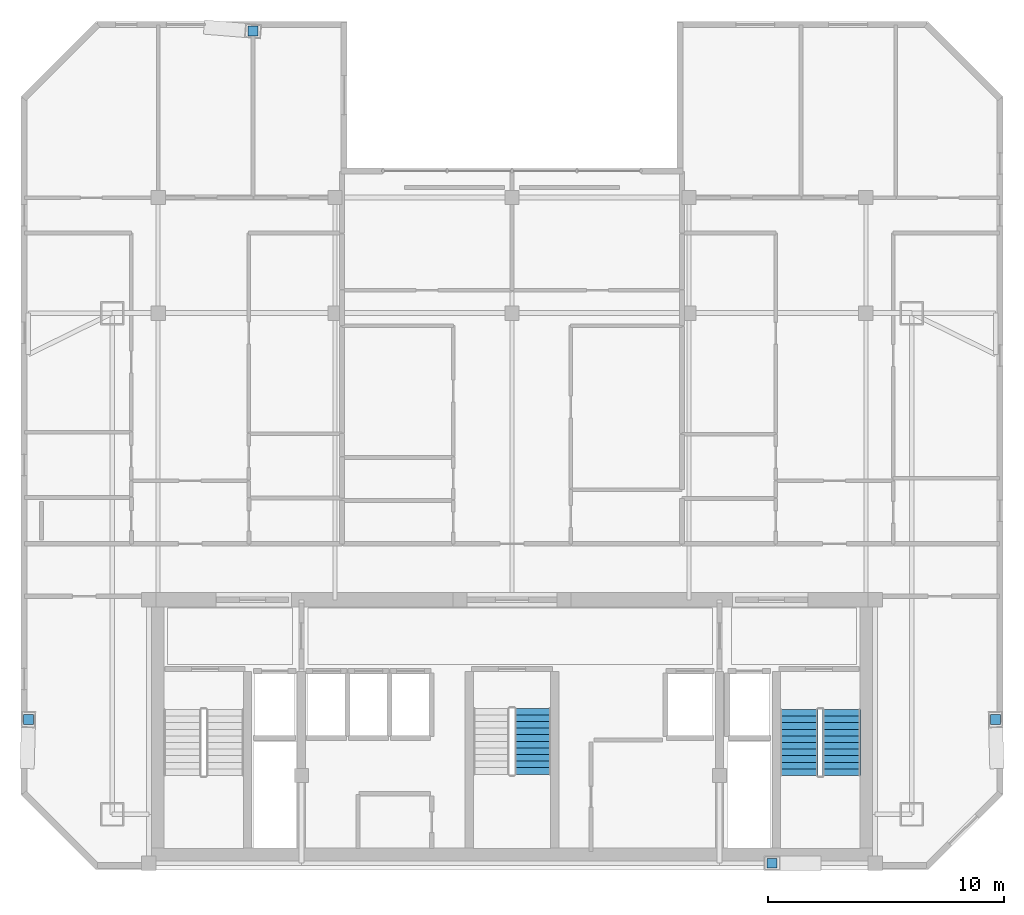
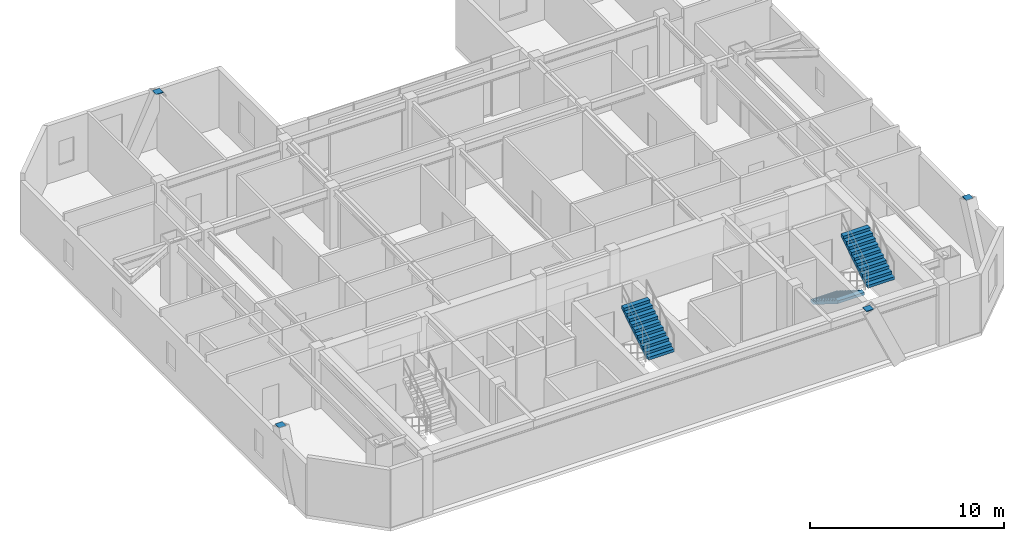
# One storey, part 10 of 11: 4 discrete accessories, 3 stair flights, 2 elements without a shape of their own.
"""IFC4 building model written with IfcOpenShell, lengths in metres."""

from ifc_helpers import new_model, si_unit, direction, frame, origin, origin_2d, place, context, subcontext, project, spatial, polyline, rectangle, outline, extrude, material, type_object, element, aggregate, save


model = new_model("IFC4")

# Units and contexts
model_context = context("Model", 3, precision=1e-05, world=origin(), true_north=direction((0.0, 1.0)))
body_context = subcontext(model_context, "Body", "Model", "MODEL_VIEW")
ifc_project = project(units=[si_unit("LENGTHUNIT", "METRE"), si_unit("AREAUNIT", "SQUARE_METRE"), si_unit("VOLUMEUNIT", "CUBIC_METRE"), si_unit("PLANEANGLEUNIT", "RADIAN"), si_unit("MASSUNIT", "GRAM", prefix="KILO")], contexts=[model_context])

# Site, building, storey
site_placement = place(None, origin())
site = spatial("IfcSite", under=ifc_project, at=site_placement, CompositionType="ELEMENT")
building_placement = place(site_placement, origin())
building = spatial("IfcBuilding", under=site, at=building_placement, Name="Ventersveld Concourse Tower", CompositionType="ELEMENT")
storey_placement = place(building_placement, frame((0.0, 0.0, 256.75)))
storey = spatial("IfcBuildingStorey", under=building, at=storey_placement, Name="L63", CompositionType="ELEMENT", Elevation=256.75)

# Stair, stair flight
ifc_material_1 = material(Name="Concrete C50/60", Category="concrete")
stair_type_1 = type_object("IfcStairType", Name="ST-DOG-155", PredefinedType="HALF_TURN_STAIR", material=ifc_material_1)
stair_1_placement = place(storey_placement, origin())
stair_1 = element("IfcStair", 1, at=stair_1_placement, inside=storey, type_object=stair_type_1, Name="L63 Protected Central Core Escape Stair ST-03", PredefinedType="HALF_TURN_STAIR")
stair_flight_type_1 = type_object("IfcStairFlightType", Name="STF-RC-155", PredefinedType="STRAIGHT", material=ifc_material_1)
stair_flight_1_placement = place(storey_placement, frame((29.625, 4.050048828125, 1.925048828125), z_axis=(0.0, 0.0, 1.0), x_axis=(0.0, 1.0, 0.0)))
stair_flight_1 = element("IfcStairFlight", 2, at=stair_flight_1_placement, type_object=stair_flight_type_1, Name="ST-03 flight 2", NumberOfRisers=11, NumberOfTreads=10, PredefinedType="STRAIGHT", RiserHeight=0.175, TreadLength=0.28, context=body_context, shape_type="SweptSolid", body=[
    extrude(outline(polyline([(0.0, 0.0), (0.0, 0.175048828125), (0.280029296875, 0.175048828125), (0.280029296875, 0.35009765625), (0.56005859375, 0.35009765625), (0.56005859375, 0.52490234375), (0.840087890625, 0.52490234375), (0.840087890625, 0.699951171875), (1.1201171875, 0.699951171875), (1.1201171875, 0.875), (1.39990234375, 0.875), (1.39990234375, 1.050048828125), (1.679931640625, 1.050048828125), (1.679931640625, 1.22509765625), (1.9599609375, 1.22509765625), (1.9599609375, 1.39990234375), (2.239990234375, 1.39990234375), (2.239990234375, 1.574951171875), (2.52001953125, 1.574951171875), (2.52001953125, 1.75), (2.800048828125, 1.75), (2.800048828125, 1.925048828125), (2.800048828125, 1.5732421875), (0.28271484375, 0.0), (0.0, 0.0)])), frame((0.0, 0.77490234375, 0.0), z_axis=(0.0, -1.0, 0.0), x_axis=(1.0, 0.0, 0.0)), (0.0, 0.0, 1.0), 1.550048828125),
])
aggregate(stair_1, [stair_flight_1])

# Stair, stair flights
stair_type_2 = type_object("IfcStairType", Name="ST-DOG-160", PredefinedType="HALF_TURN_STAIR", material=ifc_material_1)
stair_2_placement = place(storey_placement, origin())
stair_2 = element("IfcStair", 3, at=stair_2_placement, inside=storey, type_object=stair_type_2, Name="L63 Protected Tower Escape Stair ST-02", PredefinedType="HALF_TURN_STAIR")
stair_flight_type_2 = type_object("IfcStairFlightType", Name="STF-RC-160", PredefinedType="STRAIGHT", material=ifc_material_1)
stair_flight_2_placement = place(storey_placement, frame((40.919921875, 6.800048828125, 0.0), z_axis=(0.0, 0.0, 1.0), x_axis=(0.0, -1.0, 0.0)))
stair_flight_2 = element("IfcStairFlight", 4, at=stair_flight_2_placement, type_object=stair_flight_type_2, Name="ST-02 flight 1", NumberOfRisers=11, NumberOfTreads=10, PredefinedType="STRAIGHT", RiserHeight=0.175, TreadLength=0.28, context=body_context, shape_type="SweptSolid", body=[
    extrude(outline(polyline([(0.0, 0.0), (0.0, 0.175048828125), (0.280029296875, 0.175048828125), (0.280029296875, 0.35009765625), (0.56005859375, 0.35009765625), (0.56005859375, 0.52490234375), (0.840087890625, 0.52490234375), (0.840087890625, 0.699951171875), (1.1201171875, 0.699951171875), (1.1201171875, 0.875), (1.39990234375, 0.875), (1.39990234375, 1.050048828125), (1.679931640625, 1.050048828125), (1.679931640625, 1.22509765625), (1.9599609375, 1.22509765625), (1.9599609375, 1.39990234375), (2.239990234375, 1.39990234375), (2.239990234375, 1.574951171875), (2.52001953125, 1.574951171875), (2.52001953125, 1.75), (2.800048828125, 1.75), (2.800048828125, 1.925048828125), (2.800048828125, 1.5732421875), (0.28271484375, 0.0), (0.0, 0.0)])), frame((0.0, 0.800048828125, 0.0), z_axis=(0.0, -1.0, 0.0), x_axis=(1.0, 0.0, 0.0)), (0.0, 0.0, 1.0), 1.60009765625),
])
stair_flight_3_placement = place(storey_placement, frame((42.719970703125, 4.0, 1.925048828125), z_axis=(0.0, 0.0, 1.0), x_axis=(0.0, 1.0, 0.0)))
stair_flight_3 = element("IfcStairFlight", 5, at=stair_flight_3_placement, type_object=stair_flight_type_2, Name="ST-02 flight 2", NumberOfRisers=11, NumberOfTreads=10, PredefinedType="STRAIGHT", RiserHeight=0.175, TreadLength=0.28, context=body_context, shape_type="SweptSolid", body=[
    extrude(outline(polyline([(0.0, 0.0), (0.0, 0.175048828125), (0.280029296875, 0.175048828125), (0.280029296875, 0.35009765625), (0.56005859375, 0.35009765625), (0.56005859375, 0.52490234375), (0.840087890625, 0.52490234375), (0.840087890625, 0.699951171875), (1.1201171875, 0.699951171875), (1.1201171875, 0.875), (1.39990234375, 0.875), (1.39990234375, 1.050048828125), (1.679931640625, 1.050048828125), (1.679931640625, 1.22509765625), (1.9599609375, 1.22509765625), (1.9599609375, 1.39990234375), (2.239990234375, 1.39990234375), (2.239990234375, 1.574951171875), (2.52001953125, 1.574951171875), (2.52001953125, 1.75), (2.800048828125, 1.75), (2.800048828125, 1.925048828125), (2.800048828125, 1.5732421875), (0.28271484375, 0.0), (0.0, 0.0)])), frame((0.0, 0.800048828125, 0.0), z_axis=(0.0, -1.0, 0.0), x_axis=(1.0, 0.0, 0.0)), (0.0, 0.0, 1.0), 1.60009765625),
])
aggregate(stair_2, [stair_flight_2, stair_flight_3])

# Discrete accessories
ifc_material_2 = material(Name="Structural steel S355J2", Category="steel")
discrete_accessory_type = type_object("IfcDiscreteAccessoryType", Name="CONN-BRACE-ECP1", PredefinedType="BRACKET", material=ifc_material_2)
for number, where, z_axis, x_axis, name in (
    (6, (17.77099609375, 35.561279296875, 3.6298828125), (0.0, 0.0, 1.0), (1.0, 0.0, 0.0), "L63 Steel Brace End Connection Plate ECP1-0437"),
    (7, (39.77880859375, 0.280029296875, 3.6298828125), (0.0, 0.0, 1.0), (1.0, 0.0, 0.0), "L63 Steel Brace End Connection Plate ECP1-0441"),
    (8, (8.25, 6.37109375, 3.6298828125), (0.0, 0.0, 1.0), (1.0, 0.0, 0.0), "L63 Steel Brace End Connection Plate ECP1-0445"),
    (9, (49.25, 6.37109375, 3.6298828125), (0.0, 0.0, 1.0), (1.0, 0.0, 0.0), "L63 Steel Brace End Connection Plate ECP1-0449"),
):
    element("IfcDiscreteAccessory", number, at=place(storey_placement, frame(where, z_axis=z_axis, x_axis=x_axis)), inside=storey, type_object=discrete_accessory_type, Name=name, PredefinedType="BRACKET", context=body_context, shape_type="SweptSolid", body=[
        extrude(rectangle(XDim=0.419921875, YDim=0.419921875, at=origin_2d()), origin(), (0.0, 0.0, 1.0), 0.0400390625),
    ])

save(model, "model.ifc")
